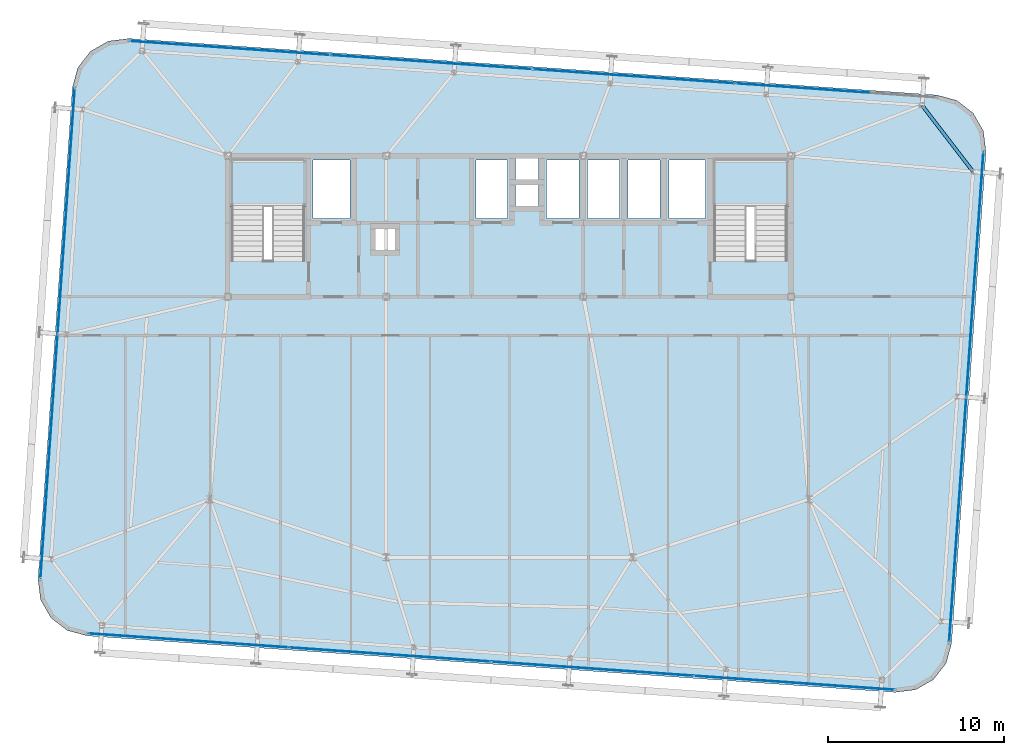
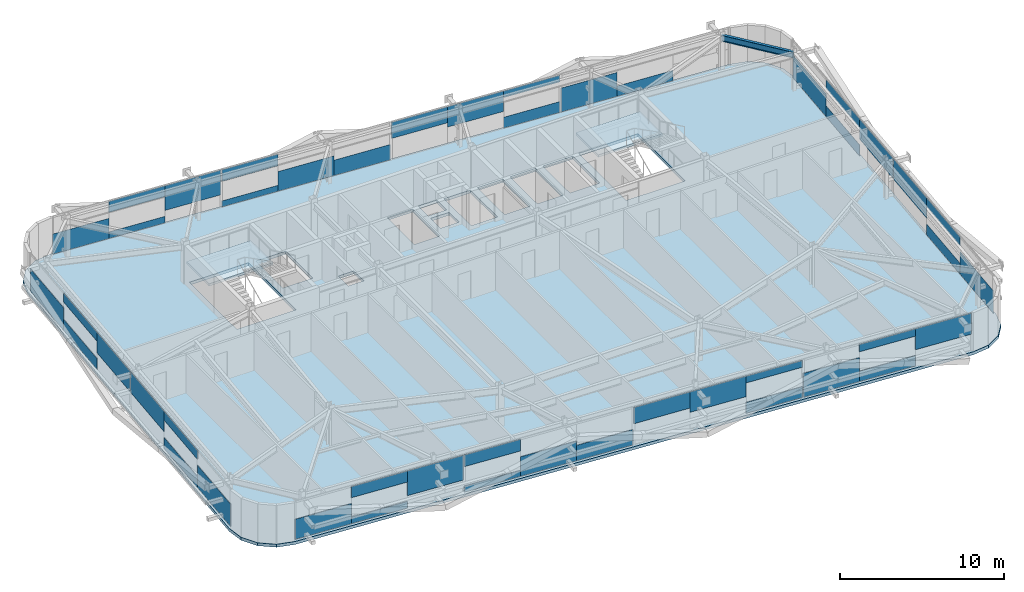
# One storey, part 25 of 39: 46 plates, 3 slabs, 1 beam, 6 elements without a shape of their own.
"""IFC4 building model written with IfcOpenShell, lengths in metres."""

from ifc_helpers import new_model, si_unit, direction, frame, origin, origin_2d, place, context, subcontext, project, spatial, polyline, rectangle, i_section, outline, extrude, source, transform, mapped, material, layer, layer_set, material_profile, profile_set, type_object, element, aggregate, save


model = new_model("IFC4")

# Units and contexts
model_context = context("Model", 3, precision=1e-05, world=origin(), true_north=direction((0.0, 1.0)))
body_context = subcontext(model_context, "Body", "Model", "MODEL_VIEW")
ifc_project = project(units=[si_unit("LENGTHUNIT", "METRE"), si_unit("AREAUNIT", "SQUARE_METRE"), si_unit("VOLUMEUNIT", "CUBIC_METRE"), si_unit("PLANEANGLEUNIT", "RADIAN"), si_unit("MASSUNIT", "GRAM", prefix="KILO")], contexts=[model_context])

# Site, building, storey
site_placement = place(None, origin())
site = spatial("IfcSite", under=ifc_project, at=site_placement, CompositionType="ELEMENT")
building_placement = place(site_placement, origin())
building = spatial("IfcBuilding", under=site, at=building_placement, Name="Taldren Reach Tower", CompositionType="ELEMENT")
storey_placement = place(building_placement, frame((0.0, 0.0, 161.35009765625)))
storey = spatial("IfcBuildingStorey", under=building, at=storey_placement, Name="L49", CompositionType="ELEMENT", Elevation=161.35009765625)

# Beam
ifc_material_1 = material(Name="Steel Gr 350 (350PLUS)", Category="steel")
ifc_material_profile = material_profile(ifc_material_1, i_section(OverallWidth=0.18994140625, OverallDepth=0.4541015625, WebThickness=0.008544921875, FlangeThickness=0.0126953125, at=origin_2d()), Name="460UB67.1")
ifc_profile_set = profile_set([ifc_material_profile], Name="Steel Gr 350 (350PLUS)")
beam_type = type_object("IfcBeamType", Name="SP-UB460B", PredefinedType="SPANDREL", material=ifc_profile_set)
shared_shape_1 = source(origin(), body_context, "Body", "SweptSolid", [
    extrude(i_section(OverallWidth=0.18994140625, OverallDepth=0.4541015625, WebThickness=0.008544921875, FlangeThickness=0.0126953125, at=origin_2d()), origin(), (0.0, 0.0, 1.0), 4.745849609375),
])
beam_placement = place(storey_placement, frame((61.3310546875, 31.1005859375, 2.642822265625), z_axis=(-0.609904656723, 0.792474800677, 0.0), x_axis=(-0.792474800677, -0.609904656723, 0.0)))
element("IfcBeam", 1, at=beam_placement, inside=storey, type_object=beam_type, Name="Perimeter spandrel B3 E3-N6 L49", PredefinedType="SPANDREL", context=body_context, shape_type="MappedRepresentation", body=[
    mapped(shared_shape_1, transform((0.0, 0.0, 0.0), scale=1.0)),
])

# Slab
ifc_material_2 = material(Name="Concrete N40 (40 MPa)", Category="concrete")
ifc_layer_1 = layer(ifc_material_2, 0.219970703125)
ifc_layer_set_1 = layer_set([ifc_layer_1], Name="Concrete N40 (40 MPa)")
slab_type_1 = type_object("IfcSlabType", Name="SL-FLR-220", PredefinedType="FLOOR", material=ifc_layer_set_1)
slab_1_placement = place(storey_placement, frame((0.0, 0.0, -0.22021484375)))
element("IfcSlab", 2, at=slab_1_placement, inside=storey, type_object=slab_type_1, Name="Suspended floor slab L49", PredefinedType="FLOOR", context=body_context, shape_type="SweptSolid", body=[
    extrude(outline(polyline([(56.908203125, 1.537109375), (58.0693359375, 1.684814453125), (59.08544921875, 2.265625), (59.80224609375, 3.191162109375), (60.110107421875, 4.320556640625), (62.063232421875, 32.252197265625), (61.91552734375, 33.413330078125), (61.334716796875, 34.4296875), (60.4091796875, 35.146240234375), (59.27978515625, 35.4541015625), (13.391845703125, 38.6630859375), (12.230712890625, 38.515380859375), (11.21435546875, 37.934326171875), (10.497802734375, 37.0087890625), (10.18994140625, 35.879638671875), (8.23681640625, 7.94775390625), (8.384521484375, 6.78662109375), (8.96533203125, 5.770263671875), (9.890869140625, 5.0537109375), (11.020263671875, 4.745849609375), (56.908203125, 1.537109375)]), holes=[polyline([(19.219970703125, 26.050048828125), (23.3798828125, 26.050048828125), (23.3798828125, 31.820068359375), (19.219970703125, 31.820068359375), (19.219970703125, 26.050048828125)]), polyline([(46.6201171875, 26.050048828125), (50.780029296875, 26.050048828125), (50.780029296875, 31.820068359375), (46.6201171875, 31.820068359375), (46.6201171875, 26.050048828125)]), polyline([(23.85009765625, 28.449951171875), (25.949951171875, 28.449951171875), (25.949951171875, 31.75), (23.85009765625, 31.75), (23.85009765625, 28.449951171875)]), polyline([(44.050048828125, 28.449951171875), (46.14990234375, 28.449951171875), (46.14990234375, 31.75), (44.050048828125, 31.75), (44.050048828125, 28.449951171875)]), polyline([(33.10009765625, 28.449951171875), (34.89990234375, 28.449951171875), (34.89990234375, 31.75), (33.10009765625, 31.75), (33.10009765625, 28.449951171875)]), polyline([(37.10009765625, 28.449951171875), (38.949951171875, 28.449951171875), (38.949951171875, 31.75), (37.10009765625, 31.75), (37.10009765625, 28.449951171875)]), polyline([(39.449951171875, 28.449951171875), (41.25, 28.449951171875), (41.25, 31.75), (39.449951171875, 31.75), (39.449951171875, 28.449951171875)]), polyline([(41.75, 28.449951171875), (43.550048828125, 28.449951171875), (43.550048828125, 31.75), (41.75, 31.75), (41.75, 28.449951171875)]), polyline([(35.35009765625, 30.64990234375), (36.64990234375, 30.64990234375), (36.64990234375, 31.85009765625), (35.35009765625, 31.85009765625), (35.35009765625, 30.64990234375)]), polyline([(35.35009765625, 29.14990234375), (36.64990234375, 29.14990234375), (36.64990234375, 30.35009765625), (35.35009765625, 30.35009765625), (35.35009765625, 29.14990234375)]), polyline([(27.39990234375, 26.64990234375), (28.5, 26.64990234375), (28.5, 27.85009765625), (27.39990234375, 27.85009765625), (27.39990234375, 26.64990234375)])]), origin(), (0.0, 0.0, 1.0), 0.22021484375),
])

# Stair, slab
ifc_material_3 = material(Name="Concrete S50 (50 MPa)", Category="concrete")
stair_type = type_object("IfcStairType", Name="ST-HT-315", PredefinedType="HALF_TURN_STAIR", material=ifc_material_3)
stair_1_placement = place(storey_placement, origin())
stair_1 = element("IfcStair", 3, at=stair_1_placement, inside=storey, type_object=stair_type, Name="Fire-isolated exit stair ST1 L49", PredefinedType="HALF_TURN_STAIR")
ifc_layer_2 = layer(ifc_material_3, 0.179931640625)
ifc_layer_set_2 = layer_set([ifc_layer_2], Name="Concrete S50 (50 MPa)")
slab_type_2 = type_object("IfcSlabType", Name="SL-LAND-180", PredefinedType="LANDING", material=ifc_layer_set_2)
slab_2_placement = place(storey_placement, frame((0.0, 0.0, 1.39501953125)))
slab_2 = element("IfcSlab", 4, at=slab_2_placement, type_object=slab_type_2, Name="ST1 landing 1", PredefinedType="LANDING", context=body_context, shape_type="SweptSolid", body=[
    extrude(outline(polyline([(19.0400390625, 29.135009765625), (23.56005859375, 29.135009765625), (23.56005859375, 31.8701171875), (19.0400390625, 31.8701171875), (19.0400390625, 29.135009765625)])), origin(), (0.0, 0.0, 1.0), 0.179931640625),
])
aggregate(stair_1, [slab_2])

stair_2_placement = place(storey_placement, origin())
stair_2 = element("IfcStair", 5, at=stair_2_placement, inside=storey, type_object=stair_type, Name="Fire-isolated exit stair ST2 L49", PredefinedType="HALF_TURN_STAIR")
slab_3_placement = place(storey_placement, frame((0.0, 0.0, 1.39501953125)))
slab_3 = element("IfcSlab", 6, at=slab_3_placement, type_object=slab_type_2, Name="ST2 landing 1", PredefinedType="LANDING", context=body_context, shape_type="SweptSolid", body=[
    extrude(outline(polyline([(46.43994140625, 29.135009765625), (50.9599609375, 29.135009765625), (50.9599609375, 31.8701171875), (46.43994140625, 31.8701171875), (46.43994140625, 29.135009765625)])), origin(), (0.0, 0.0, 1.0), 0.179931640625),
])
aggregate(stair_2, [slab_3])

# Curtain wall, plate
ifc_material_4 = material(Name="Aluminium and Low-E Glass Unitised System", Category="aluminium")
ifc_layer_3 = layer(ifc_material_4, 0.159912109375)
ifc_layer_set_3 = layer_set([ifc_layer_3], Name="Aluminium and Low-E Glass Unitised System")
curtain_wall_type = type_object("IfcCurtainWallType", Name="CW-SYS-4", PredefinedType="NOTDEFINED", material=ifc_layer_set_3)
curtain_wall_1_placement = place(storey_placement, origin())
curtain_wall_1 = element("IfcCurtainWall", 7, at=curtain_wall_1_placement, inside=storey, type_object=curtain_wall_type, Name="Unitised curtain wall CW-L49-S", PredefinedType="NOTDEFINED")
ifc_material_5 = material(Name="Solar-Control Double Glazed IGU", Category="glass")
ifc_layer_4 = layer(ifc_material_5, 0.031982421875)
ifc_layer_set_4 = layer_set([ifc_layer_4], Name="Solar-Control Double Glazed IGU")
plate_type = type_object("IfcPlateType", Name="CW-PNL-IGU32", PredefinedType="CURTAIN_PANEL", material=ifc_layer_set_4)
shared_shape_2 = source(origin(), body_context, "Body", "SweptSolid", [
    extrude(rectangle(XDim=3.79833984375, YDim=0.031982421875, at=origin_2d()), origin(), (0.0, 0.0, 1.0), 1.4990234375),
])
plate_1_placement = place(storey_placement, frame((12.994384765625, 4.748046875, 0.054931640625), z_axis=(0.0, 0.0, 1.0), x_axis=(0.99756404731, -0.06975651593, 0.0)))
plate_1 = element("IfcPlate", 8, at=plate_1_placement, type_object=plate_type, Name="CW-4 panel 1.1 part 1", PredefinedType="CURTAIN_PANEL", context=body_context, shape_type="MappedRepresentation", body=[
    mapped(shared_shape_2, transform((0.0, 0.0, 0.0), scale=1.0)),
])

curtain_wall_2_placement = place(storey_placement, origin())
curtain_wall_2 = element("IfcCurtainWall", 9, at=curtain_wall_2_placement, inside=storey, type_object=curtain_wall_type, Name="Unitised curtain wall CW-L49-N", PredefinedType="NOTDEFINED")
plate_2_placement = place(storey_placement, frame((15.346435546875, 38.385986328125, 0.054931640625), z_axis=(0.0, 0.0, 1.0), x_axis=(-0.99756404731, 0.06975651593, 0.0)))
plate_2 = element("IfcPlate", 10, at=plate_2_placement, type_object=plate_type, Name="CW-4 panel 4.1 part 4", PredefinedType="CURTAIN_PANEL", context=body_context, shape_type="MappedRepresentation", body=[
    mapped(shared_shape_2, transform((0.0, 0.0, 0.0), scale=1.0)),
])

# Plate
shared_shape_3 = source(origin(), body_context, "Body", "SweptSolid", [
    extrude(rectangle(XDim=3.79833984375, YDim=0.031982421875, at=origin_2d()), origin(), (0.0, 0.0, 1.0), 0.485107421875),
])
plate_3_placement = place(storey_placement, frame((16.783447265625, 4.483154296875, 0.05517578125), z_axis=(0.0, 0.0, 1.0), x_axis=(0.99756404731, -0.06975651593, 0.0)))
plate_3 = element("IfcPlate", 11, at=plate_3_placement, type_object=plate_type, Name="CW-4 panel 1.1 part 2", PredefinedType="CURTAIN_PANEL", context=body_context, shape_type="MappedRepresentation", body=[
    mapped(shared_shape_3, transform((0.0, 0.0, 0.0), scale=1.0)),
])

plate_4_placement = place(storey_placement, frame((19.135498046875, 38.12109375, 0.0546875), z_axis=(0.0, 0.0, 1.0), x_axis=(-0.99756404731, 0.06975651593, 0.0)))
plate_4 = element("IfcPlate", 12, at=plate_4_placement, type_object=plate_type, Name="CW-4 panel 4.1 part 2", PredefinedType="CURTAIN_PANEL", context=body_context, shape_type="MappedRepresentation", body=[
    mapped(shared_shape_3, transform((0.0, 0.0, 0.0), scale=1.0)),
])

shared_shape_4 = source(origin(), body_context, "Body", "SweptSolid", [
    extrude(rectangle(XDim=3.79833984375, YDim=0.031982421875, at=origin_2d()), origin(), (0.0, 0.0, 1.0), 0.82666015625),
])
plate_5_placement = place(storey_placement, frame((16.783447265625, 4.483154296875, 1.98828125), z_axis=(0.0, 0.0, 1.0), x_axis=(0.99756404731, -0.06975651593, 0.0)))
plate_5 = element("IfcPlate", 13, at=plate_5_placement, type_object=plate_type, Name="CW-4 panel 1.1 part 3", PredefinedType="CURTAIN_PANEL", context=body_context, shape_type="MappedRepresentation", body=[
    mapped(shared_shape_4, transform((0.0, 0.0, 0.0), scale=1.0)),
])

plate_6_placement = place(storey_placement, frame((19.135498046875, 38.12109375, 1.98828125), z_axis=(0.0, 0.0, 1.0), x_axis=(-0.99756404731, 0.06975651593, 0.0)))
plate_6 = element("IfcPlate", 14, at=plate_6_placement, type_object=plate_type, Name="CW-4 panel 4.1 part 3", PredefinedType="CURTAIN_PANEL", context=body_context, shape_type="MappedRepresentation", body=[
    mapped(shared_shape_4, transform((0.0, 0.0, 0.0), scale=1.0)),
])

shared_shape_5 = source(origin(), body_context, "Body", "SweptSolid", [
    extrude(rectangle(XDim=3.79833984375, YDim=0.031982421875, at=origin_2d()), origin(), (0.0, 0.0, 1.0), 1.840576171875),
])
plate_7_placement = place(storey_placement, frame((20.572509765625, 4.21826171875, 0.974609375), z_axis=(0.0, 0.0, 1.0), x_axis=(0.99756404731, -0.06975651593, 0.0)))
plate_7 = element("IfcPlate", 15, at=plate_7_placement, type_object=plate_type, Name="CW-4 panel 1.1 part 4", PredefinedType="CURTAIN_PANEL", context=body_context, shape_type="MappedRepresentation", body=[
    mapped(shared_shape_5, transform((0.0, 0.0, 0.0), scale=1.0)),
])

plate_8_placement = place(storey_placement, frame((22.924560546875, 37.85595703125, 0.974609375), z_axis=(0.0, 0.0, 1.0), x_axis=(-0.99756404731, 0.06975651593, 0.0)))
plate_8 = element("IfcPlate", 16, at=plate_8_placement, type_object=plate_type, Name="CW-4 panel 4.1 part 1", PredefinedType="CURTAIN_PANEL", context=body_context, shape_type="MappedRepresentation", body=[
    mapped(shared_shape_5, transform((0.0, 0.0, 0.0), scale=1.0)),
])

shared_shape_6 = source(origin(), body_context, "Body", "SweptSolid", [
    extrude(rectangle(XDim=3.81005859375, YDim=0.031982421875, at=origin_2d()), origin(), (0.0, 0.0, 1.0), 0.44287109375),
])
plate_9_placement = place(storey_placement, frame((24.437255859375, 3.947998046875, 0.054931640625), z_axis=(0.0, 0.0, 1.0), x_axis=(0.99756404731, -0.06975651593, 0.0)))
plate_9 = element("IfcPlate", 17, at=plate_9_placement, type_object=plate_type, Name="CW-4 panel 2.1 part 1", PredefinedType="CURTAIN_PANEL", context=body_context, shape_type="MappedRepresentation", body=[
    mapped(shared_shape_6, transform((0.0, 0.0, 0.0), scale=1.0)),
])

plate_10_placement = place(storey_placement, frame((26.789306640625, 37.585693359375, 0.054931640625), z_axis=(0.0, 0.0, 1.0), x_axis=(-0.99756404731, 0.06975651593, 0.0)))
plate_10 = element("IfcPlate", 18, at=plate_10_placement, type_object=plate_type, Name="CW-4 panel 3.1 part 3", PredefinedType="CURTAIN_PANEL", context=body_context, shape_type="MappedRepresentation", body=[
    mapped(shared_shape_6, transform((0.0, 0.0, 0.0), scale=1.0)),
])

shared_shape_7 = source(origin(), body_context, "Body", "SweptSolid", [
    extrude(rectangle(XDim=3.81005859375, YDim=0.031982421875, at=origin_2d()), origin(), (0.0, 0.0, 1.0), 0.865966796875),
])
plate_11_placement = place(storey_placement, frame((24.437255859375, 3.947998046875, 1.94921875), z_axis=(0.0, 0.0, 1.0), x_axis=(0.99756404731, -0.06975651593, 0.0)))
plate_11 = element("IfcPlate", 19, at=plate_11_placement, type_object=plate_type, Name="CW-4 panel 2.1 part 2", PredefinedType="CURTAIN_PANEL", context=body_context, shape_type="MappedRepresentation", body=[
    mapped(shared_shape_7, transform((0.0, 0.0, 0.0), scale=1.0)),
])

plate_12_placement = place(storey_placement, frame((26.789306640625, 37.585693359375, 1.94921875), z_axis=(0.0, 0.0, 1.0), x_axis=(-0.99756404731, 0.06975651593, 0.0)))
plate_12 = element("IfcPlate", 20, at=plate_12_placement, type_object=plate_type, Name="CW-4 panel 3.1 part 4", PredefinedType="CURTAIN_PANEL", context=body_context, shape_type="MappedRepresentation", body=[
    mapped(shared_shape_7, transform((0.0, 0.0, 0.0), scale=1.0)),
])

shared_shape_8 = source(origin(), body_context, "Body", "SweptSolid", [
    extrude(rectangle(XDim=3.81005859375, YDim=0.031982421875, at=origin_2d()), origin(), (0.0, 0.0, 1.0), 1.459716796875),
])
plate_13_placement = place(storey_placement, frame((28.23779296875, 3.68212890625, 0.0546875), z_axis=(0.0, 0.0, 1.0), x_axis=(0.99756404731, -0.06975651593, 0.0)))
plate_13 = element("IfcPlate", 21, at=plate_13_placement, type_object=plate_type, Name="CW-4 panel 2.1 part 3", PredefinedType="CURTAIN_PANEL", context=body_context, shape_type="MappedRepresentation", body=[
    mapped(shared_shape_8, transform((0.0, 0.0, 0.0), scale=1.0)),
])

plate_14_placement = place(storey_placement, frame((30.590087890625, 37.320068359375, 0.0546875), z_axis=(0.0, 0.0, 1.0), x_axis=(-0.99756404731, 0.06975651593, 0.0)))
plate_14 = element("IfcPlate", 22, at=plate_14_placement, type_object=plate_type, Name="CW-4 panel 3.1 part 2", PredefinedType="CURTAIN_PANEL", context=body_context, shape_type="MappedRepresentation", body=[
    mapped(shared_shape_8, transform((0.0, 0.0, 0.0), scale=1.0)),
])

shared_shape_9 = source(origin(), body_context, "Body", "SweptSolid", [
    extrude(rectangle(XDim=3.81005859375, YDim=0.031982421875, at=origin_2d()), origin(), (0.0, 0.0, 1.0), 1.14208984375),
])
plate_15_placement = place(storey_placement, frame((32.03857421875, 3.41650390625, 0.054931640625), z_axis=(0.0, 0.0, 1.0), x_axis=(0.99756404731, -0.06975651593, 0.0)))
plate_15 = element("IfcPlate", 23, at=plate_15_placement, type_object=plate_type, Name="CW-4 panel 2.1 part 4", PredefinedType="CURTAIN_PANEL", context=body_context, shape_type="MappedRepresentation", body=[
    mapped(shared_shape_9, transform((0.0, 0.0, 0.0), scale=1.0)),
])

plate_16_placement = place(storey_placement, frame((34.390869140625, 37.05419921875, 0.054931640625), z_axis=(0.0, 0.0, 1.0), x_axis=(-0.99756404731, 0.06975651593, 0.0)))
plate_16 = element("IfcPlate", 24, at=plate_16_placement, type_object=plate_type, Name="CW-4 panel 3.1 part 1", PredefinedType="CURTAIN_PANEL", context=body_context, shape_type="MappedRepresentation", body=[
    mapped(shared_shape_9, transform((0.0, 0.0, 0.0), scale=1.0)),
])

shared_shape_10 = source(origin(), body_context, "Body", "SweptSolid", [
    extrude(rectangle(XDim=3.81005859375, YDim=0.031982421875, at=origin_2d()), origin(), (0.0, 0.0, 1.0), 1.2021484375),
])
plate_17_placement = place(storey_placement, frame((35.9091796875, 3.145751953125, 1.61279296875), z_axis=(0.0, 0.0, 1.0), x_axis=(0.99756404731, -0.06975651593, 0.0)))
plate_17 = element("IfcPlate", 25, at=plate_17_placement, type_object=plate_type, Name="CW-4 panel 3.1 part 1", PredefinedType="CURTAIN_PANEL", context=body_context, shape_type="MappedRepresentation", body=[
    mapped(shared_shape_10, transform((0.0, 0.0, 0.0), scale=1.0)),
])

plate_18_placement = place(storey_placement, frame((38.261474609375, 36.78369140625, 1.61279296875), z_axis=(0.0, 0.0, 1.0), x_axis=(-0.99756404731, 0.06975651593, 0.0)))
plate_18 = element("IfcPlate", 26, at=plate_18_placement, type_object=plate_type, Name="CW-4 panel 2.1 part 4", PredefinedType="CURTAIN_PANEL", context=body_context, shape_type="MappedRepresentation", body=[
    mapped(shared_shape_10, transform((0.0, 0.0, 0.0), scale=1.0)),
])

shared_shape_11 = source(origin(), body_context, "Body", "SweptSolid", [
    extrude(rectangle(XDim=3.81005859375, YDim=0.031982421875, at=origin_2d()), origin(), (0.0, 0.0, 1.0), 1.519775390625),
])
plate_19_placement = place(storey_placement, frame((39.7099609375, 2.8798828125, 1.294921875), z_axis=(0.0, 0.0, 1.0), x_axis=(0.99756404731, -0.06975651593, 0.0)))
plate_19 = element("IfcPlate", 27, at=plate_19_placement, type_object=plate_type, Name="CW-4 panel 3.1 part 2", PredefinedType="CURTAIN_PANEL", context=body_context, shape_type="MappedRepresentation", body=[
    mapped(shared_shape_11, transform((0.0, 0.0, 0.0), scale=1.0)),
])

plate_20_placement = place(storey_placement, frame((42.06201171875, 36.517822265625, 1.294921875), z_axis=(0.0, 0.0, 1.0), x_axis=(-0.99756404731, 0.06975651593, 0.0)))
plate_20 = element("IfcPlate", 28, at=plate_20_placement, type_object=plate_type, Name="CW-4 panel 2.1 part 3", PredefinedType="CURTAIN_PANEL", context=body_context, shape_type="MappedRepresentation", body=[
    mapped(shared_shape_11, transform((0.0, 0.0, 0.0), scale=1.0)),
])

shared_shape_12 = source(origin(), body_context, "Body", "SweptSolid", [
    extrude(rectangle(XDim=3.81005859375, YDim=0.031982421875, at=origin_2d()), origin(), (0.0, 0.0, 1.0), 0.805908203125),
])
plate_21_placement = place(storey_placement, frame((43.510498046875, 2.6142578125, 0.0546875), z_axis=(0.0, 0.0, 1.0), x_axis=(0.99756404731, -0.06975651593, 0.0)))
plate_21 = element("IfcPlate", 29, at=plate_21_placement, type_object=plate_type, Name="CW-4 panel 3.1 part 3", PredefinedType="CURTAIN_PANEL", context=body_context, shape_type="MappedRepresentation", body=[
    mapped(shared_shape_12, transform((0.0, 0.0, 0.0), scale=1.0)),
])

plate_22_placement = place(storey_placement, frame((45.86279296875, 36.251953125, 0.0546875), z_axis=(0.0, 0.0, 1.0), x_axis=(-0.99756404731, 0.06975651593, 0.0)))
plate_22 = element("IfcPlate", 30, at=plate_22_placement, type_object=plate_type, Name="CW-4 panel 2.1 part 1", PredefinedType="CURTAIN_PANEL", context=body_context, shape_type="MappedRepresentation", body=[
    mapped(shared_shape_12, transform((0.0, 0.0, 0.0), scale=1.0)),
])

shared_shape_13 = source(origin(), body_context, "Body", "SweptSolid", [
    extrude(rectangle(XDim=3.81005859375, YDim=0.031982421875, at=origin_2d()), origin(), (0.0, 0.0, 1.0), 0.5029296875),
])
plate_23_placement = place(storey_placement, frame((43.510498046875, 2.6142578125, 2.31201171875), z_axis=(0.0, 0.0, 1.0), x_axis=(0.99756404731, -0.06975651593, 0.0)))
plate_23 = element("IfcPlate", 31, at=plate_23_placement, type_object=plate_type, Name="CW-4 panel 3.1 part 4", PredefinedType="CURTAIN_PANEL", context=body_context, shape_type="MappedRepresentation", body=[
    mapped(shared_shape_13, transform((0.0, 0.0, 0.0), scale=1.0)),
])

plate_24_placement = place(storey_placement, frame((45.86279296875, 36.251953125, 2.31201171875), z_axis=(0.0, 0.0, 1.0), x_axis=(-0.99756404731, 0.06975651593, 0.0)))
plate_24 = element("IfcPlate", 32, at=plate_24_placement, type_object=plate_type, Name="CW-4 panel 2.1 part 2", PredefinedType="CURTAIN_PANEL", context=body_context, shape_type="MappedRepresentation", body=[
    mapped(shared_shape_13, transform((0.0, 0.0, 0.0), scale=1.0)),
])

shared_shape_14 = source(origin(), body_context, "Body", "SweptSolid", [
    extrude(rectangle(XDim=3.79833984375, YDim=0.031982421875, at=origin_2d()), origin(), (0.0, 0.0, 1.0), 1.780517578125),
])
plate_25_placement = place(storey_placement, frame((47.375244140625, 2.343994140625, 0.0546875), z_axis=(0.0, 0.0, 1.0), x_axis=(0.99756404731, -0.06975651593, 0.0)))
plate_25 = element("IfcPlate", 33, at=plate_25_placement, type_object=plate_type, Name="CW-4 panel 4.1 part 1", PredefinedType="CURTAIN_PANEL", context=body_context, shape_type="MappedRepresentation", body=[
    mapped(shared_shape_14, transform((0.0, 0.0, 0.0), scale=1.0)),
])

plate_26_placement = place(storey_placement, frame((49.7275390625, 35.981689453125, 0.0546875), z_axis=(0.0, 0.0, 1.0), x_axis=(-0.99756404731, 0.06975651593, 0.0)))
plate_26 = element("IfcPlate", 34, at=plate_26_placement, type_object=plate_type, Name="CW-4 panel 1.1 part 4", PredefinedType="CURTAIN_PANEL", context=body_context, shape_type="MappedRepresentation", body=[
    mapped(shared_shape_14, transform((0.0, 0.0, 0.0), scale=1.0)),
])

shared_shape_15 = source(origin(), body_context, "Body", "SweptSolid", [
    extrude(rectangle(XDim=3.79833984375, YDim=0.031982421875, at=origin_2d()), origin(), (0.0, 0.0, 1.0), 0.766845703125),
])
plate_27_placement = place(storey_placement, frame((51.16455078125, 2.0791015625, 0.0546875), z_axis=(0.0, 0.0, 1.0), x_axis=(0.99756404731, -0.06975651593, 0.0)))
plate_27 = element("IfcPlate", 35, at=plate_27_placement, type_object=plate_type, Name="CW-4 panel 4.1 part 2", PredefinedType="CURTAIN_PANEL", context=body_context, shape_type="MappedRepresentation", body=[
    mapped(shared_shape_15, transform((0.0, 0.0, 0.0), scale=1.0)),
])

plate_28_placement = place(storey_placement, frame((53.5166015625, 35.716796875, 0.0546875), z_axis=(0.0, 0.0, 1.0), x_axis=(-0.99756404731, 0.06975651593, 0.0)))
plate_28 = element("IfcPlate", 36, at=plate_28_placement, type_object=plate_type, Name="CW-4 panel 1.1 part 2", PredefinedType="CURTAIN_PANEL", context=body_context, shape_type="MappedRepresentation", body=[
    mapped(shared_shape_15, transform((0.0, 0.0, 0.0), scale=1.0)),
])

aggregate(curtain_wall_2, [plate_28, plate_26, plate_22, plate_24, plate_20, plate_18, plate_16, plate_14, plate_10, plate_12, plate_8, plate_4, plate_6, plate_2])

shared_shape_16 = source(origin(), body_context, "Body", "SweptSolid", [
    extrude(rectangle(XDim=3.79833984375, YDim=0.031982421875, at=origin_2d()), origin(), (0.0, 0.0, 1.0), 0.545166015625),
])
plate_29_placement = place(storey_placement, frame((51.16455078125, 2.0791015625, 2.26953125), z_axis=(0.0, 0.0, 1.0), x_axis=(0.99756404731, -0.06975651593, 0.0)))
plate_29 = element("IfcPlate", 37, at=plate_29_placement, type_object=plate_type, Name="CW-4 panel 4.1 part 3", PredefinedType="CURTAIN_PANEL", context=body_context, shape_type="MappedRepresentation", body=[
    mapped(shared_shape_16, transform((0.0, 0.0, 0.0), scale=1.0)),
])

shared_shape_17 = source(origin(), body_context, "Body", "SweptSolid", [
    extrude(rectangle(XDim=3.79833984375, YDim=0.031982421875, at=origin_2d()), origin(), (0.0, 0.0, 1.0), 1.558837890625),
])
plate_30_placement = place(storey_placement, frame((54.95361328125, 1.81396484375, 1.255859375), z_axis=(0.0, 0.0, 1.0), x_axis=(0.99756404731, -0.06975651593, 0.0)))
plate_30 = element("IfcPlate", 38, at=plate_30_placement, type_object=plate_type, Name="CW-4 panel 4.1 part 4", PredefinedType="CURTAIN_PANEL", context=body_context, shape_type="MappedRepresentation", body=[
    mapped(shared_shape_17, transform((0.0, 0.0, 0.0), scale=1.0)),
])

aggregate(curtain_wall_1, [plate_1, plate_3, plate_5, plate_7, plate_9, plate_11, plate_13, plate_15, plate_17, plate_19, plate_21, plate_23, plate_25, plate_27, plate_29, plate_30])

# Curtain wall, plates
curtain_wall_3_placement = place(storey_placement, origin())
curtain_wall_3 = element("IfcCurtainWall", 39, at=curtain_wall_3_placement, inside=storey, type_object=curtain_wall_type, Name="Unitised curtain wall CW-L49-W", PredefinedType="NOTDEFINED")
shared_shape_18 = source(origin(), body_context, "Body", "SweptSolid", [
    extrude(rectangle(XDim=4.631591796875, YDim=0.031982421875, at=origin_2d()), origin(), (0.0, 0.0, 1.0), 1.673095703125),
])
plate_31_placement = place(storey_placement, frame((10.1630859375, 33.48974609375, 0.05517578125), z_axis=(0.0, 0.0, 1.0), x_axis=(-0.069756437251, -0.997564052812, 0.0)))
plate_31 = element("IfcPlate", 40, at=plate_31_placement, type_object=plate_type, Name="CW-4 panel 1.1 part 1", PredefinedType="CURTAIN_PANEL", context=body_context, shape_type="MappedRepresentation", body=[
    mapped(shared_shape_18, transform((0.0, 0.0, 0.0), scale=1.0)),
])
plate_32_placement = place(storey_placement, frame((8.542724609375, 10.318115234375, 0.05517578125), z_axis=(0.0, 0.0, 1.0), x_axis=(-0.069756437251, -0.997564052812, 0.0)))
plate_32 = element("IfcPlate", 41, at=plate_32_placement, type_object=plate_type, Name="CW-4 panel 2.1 part 4", PredefinedType="CURTAIN_PANEL", context=body_context, shape_type="MappedRepresentation", body=[
    mapped(shared_shape_18, transform((0.0, 0.0, 0.0), scale=1.0)),
])

curtain_wall_4_placement = place(storey_placement, origin())
curtain_wall_4 = element("IfcCurtainWall", 42, at=curtain_wall_4_placement, inside=storey, type_object=curtain_wall_type, Name="Unitised curtain wall CW-L49-E", PredefinedType="NOTDEFINED")
plate_33_placement = place(storey_placement, frame((60.136962890625, 6.710205078125, 0.05517578125), z_axis=(0.0, 0.0, 1.0), x_axis=(0.069756437251, 0.997564052812, 0.0)))
plate_33 = element("IfcPlate", 43, at=plate_33_placement, type_object=plate_type, Name="CW-4 panel 1.1 part 1", PredefinedType="CURTAIN_PANEL", context=body_context, shape_type="MappedRepresentation", body=[
    mapped(shared_shape_18, transform((0.0, 0.0, 0.0), scale=1.0)),
])
plate_34_placement = place(storey_placement, frame((61.757080078125, 29.882080078125, 0.05517578125), z_axis=(0.0, 0.0, 1.0), x_axis=(0.069756437251, 0.997564052812, 0.0)))
plate_34 = element("IfcPlate", 44, at=plate_34_placement, type_object=plate_type, Name="CW-4 panel 2.1 part 4", PredefinedType="CURTAIN_PANEL", context=body_context, shape_type="MappedRepresentation", body=[
    mapped(shared_shape_18, transform((0.0, 0.0, 0.0), scale=1.0)),
])

# Plate
shared_shape_19 = source(origin(), body_context, "Body", "SweptSolid", [
    extrude(rectangle(XDim=4.631591796875, YDim=0.031982421875, at=origin_2d()), origin(), (0.0, 0.0, 1.0), 0.815673828125),
])
plate_35_placement = place(storey_placement, frame((9.840087890625, 28.869384765625, 0.0546875), z_axis=(0.0, 0.0, 1.0), x_axis=(-0.069756437251, -0.997564052812, 0.0)))
plate_35 = element("IfcPlate", 45, at=plate_35_placement, type_object=plate_type, Name="CW-4 panel 1.1 part 2", PredefinedType="CURTAIN_PANEL", context=body_context, shape_type="MappedRepresentation", body=[
    mapped(shared_shape_19, transform((0.0, 0.0, 0.0), scale=1.0)),
])

plate_36_placement = place(storey_placement, frame((8.865966796875, 14.9384765625, 0.0546875), z_axis=(0.0, 0.0, 1.0), x_axis=(-0.069756437251, -0.997564052812, 0.0)))
plate_36 = element("IfcPlate", 46, at=plate_36_placement, type_object=plate_type, Name="CW-4 panel 2.1 part 2", PredefinedType="CURTAIN_PANEL", context=body_context, shape_type="MappedRepresentation", body=[
    mapped(shared_shape_19, transform((0.0, 0.0, 0.0), scale=1.0)),
])

plate_37_placement = place(storey_placement, frame((60.4599609375, 11.33056640625, 0.0546875), z_axis=(0.0, 0.0, 1.0), x_axis=(0.069756437251, 0.997564052812, 0.0)))
plate_37 = element("IfcPlate", 47, at=plate_37_placement, type_object=plate_type, Name="CW-4 panel 1.1 part 2", PredefinedType="CURTAIN_PANEL", context=body_context, shape_type="MappedRepresentation", body=[
    mapped(shared_shape_19, transform((0.0, 0.0, 0.0), scale=1.0)),
])

plate_38_placement = place(storey_placement, frame((61.43408203125, 25.261474609375, 0.0546875), z_axis=(0.0, 0.0, 1.0), x_axis=(0.069756437251, 0.997564052812, 0.0)))
plate_38 = element("IfcPlate", 48, at=plate_38_placement, type_object=plate_type, Name="CW-4 panel 2.1 part 2", PredefinedType="CURTAIN_PANEL", context=body_context, shape_type="MappedRepresentation", body=[
    mapped(shared_shape_19, transform((0.0, 0.0, 0.0), scale=1.0)),
])

shared_shape_20 = source(origin(), body_context, "Body", "SweptSolid", [
    extrude(rectangle(XDim=4.631591796875, YDim=0.031982421875, at=origin_2d()), origin(), (0.0, 0.0, 1.0), 0.659912109375),
])
plate_39_placement = place(storey_placement, frame((9.840087890625, 28.869384765625, 2.15478515625), z_axis=(0.0, 0.0, 1.0), x_axis=(-0.069756437251, -0.997564052812, 0.0)))
plate_39 = element("IfcPlate", 49, at=plate_39_placement, type_object=plate_type, Name="CW-4 panel 1.1 part 3", PredefinedType="CURTAIN_PANEL", context=body_context, shape_type="MappedRepresentation", body=[
    mapped(shared_shape_20, transform((0.0, 0.0, 0.0), scale=1.0)),
])

plate_40_placement = place(storey_placement, frame((8.865966796875, 14.9384765625, 2.15478515625), z_axis=(0.0, 0.0, 1.0), x_axis=(-0.069756437251, -0.997564052812, 0.0)))
plate_40 = element("IfcPlate", 50, at=plate_40_placement, type_object=plate_type, Name="CW-4 panel 2.1 part 3", PredefinedType="CURTAIN_PANEL", context=body_context, shape_type="MappedRepresentation", body=[
    mapped(shared_shape_20, transform((0.0, 0.0, 0.0), scale=1.0)),
])

plate_41_placement = place(storey_placement, frame((60.4599609375, 11.33056640625, 2.15478515625), z_axis=(0.0, 0.0, 1.0), x_axis=(0.069756437251, 0.997564052812, 0.0)))
plate_41 = element("IfcPlate", 51, at=plate_41_placement, type_object=plate_type, Name="CW-4 panel 1.1 part 3", PredefinedType="CURTAIN_PANEL", context=body_context, shape_type="MappedRepresentation", body=[
    mapped(shared_shape_20, transform((0.0, 0.0, 0.0), scale=1.0)),
])

plate_42_placement = place(storey_placement, frame((61.43408203125, 25.261474609375, 2.15478515625), z_axis=(0.0, 0.0, 1.0), x_axis=(0.069756437251, 0.997564052812, 0.0)))
plate_42 = element("IfcPlate", 52, at=plate_42_placement, type_object=plate_type, Name="CW-4 panel 2.1 part 3", PredefinedType="CURTAIN_PANEL", context=body_context, shape_type="MappedRepresentation", body=[
    mapped(shared_shape_20, transform((0.0, 0.0, 0.0), scale=1.0)),
])

shared_shape_21 = source(origin(), body_context, "Body", "SweptSolid", [
    extrude(rectangle(XDim=4.631591796875, YDim=0.031982421875, at=origin_2d()), origin(), (0.0, 0.0, 1.0), 1.517333984375),
])
plate_43_placement = place(storey_placement, frame((9.51708984375, 24.2490234375, 1.29736328125), z_axis=(0.0, 0.0, 1.0), x_axis=(-0.069756437251, -0.997564052812, 0.0)))
plate_43 = element("IfcPlate", 53, at=plate_43_placement, type_object=plate_type, Name="CW-4 panel 1.1 part 4", PredefinedType="CURTAIN_PANEL", context=body_context, shape_type="MappedRepresentation", body=[
    mapped(shared_shape_21, transform((0.0, 0.0, 0.0), scale=1.0)),
])

plate_44_placement = place(storey_placement, frame((9.18896484375, 19.558837890625, 1.29736328125), z_axis=(0.0, 0.0, 1.0), x_axis=(-0.069756437251, -0.997564052812, 0.0)))
plate_44 = element("IfcPlate", 54, at=plate_44_placement, type_object=plate_type, Name="CW-4 panel 2.1 part 1", PredefinedType="CURTAIN_PANEL", context=body_context, shape_type="MappedRepresentation", body=[
    mapped(shared_shape_21, transform((0.0, 0.0, 0.0), scale=1.0)),
])

aggregate(curtain_wall_3, [plate_31, plate_35, plate_39, plate_43, plate_44, plate_36, plate_40, plate_32])

plate_45_placement = place(storey_placement, frame((60.782958984375, 15.950927734375, 1.29736328125), z_axis=(0.0, 0.0, 1.0), x_axis=(0.069756437251, 0.997564052812, 0.0)))
plate_45 = element("IfcPlate", 55, at=plate_45_placement, type_object=plate_type, Name="CW-4 panel 1.1 part 4", PredefinedType="CURTAIN_PANEL", context=body_context, shape_type="MappedRepresentation", body=[
    mapped(shared_shape_21, transform((0.0, 0.0, 0.0), scale=1.0)),
])

plate_46_placement = place(storey_placement, frame((61.111083984375, 20.64111328125, 1.29736328125), z_axis=(0.0, 0.0, 1.0), x_axis=(0.069756437251, 0.997564052812, 0.0)))
plate_46 = element("IfcPlate", 56, at=plate_46_placement, type_object=plate_type, Name="CW-4 panel 2.1 part 1", PredefinedType="CURTAIN_PANEL", context=body_context, shape_type="MappedRepresentation", body=[
    mapped(shared_shape_21, transform((0.0, 0.0, 0.0), scale=1.0)),
])

aggregate(curtain_wall_4, [plate_33, plate_37, plate_41, plate_45, plate_46, plate_38, plate_42, plate_34])

save(model, "model.ifc")
